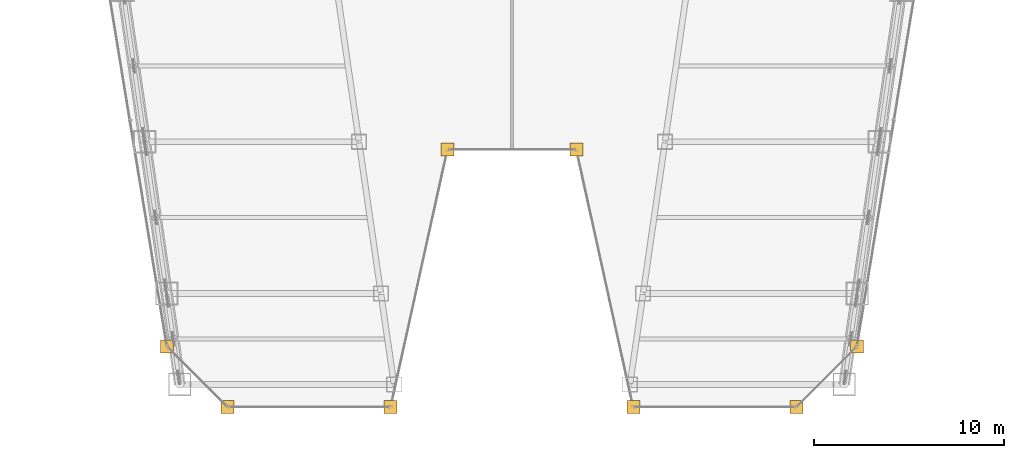
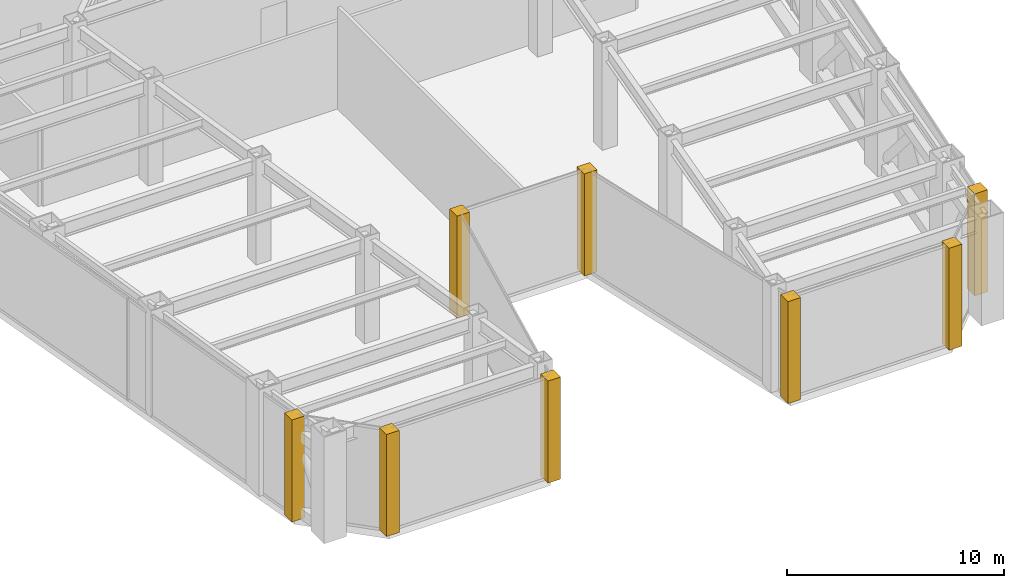
# One storey, part 33 of 35: 8 coverings.
"""IFC4 building model written with IfcOpenShell, lengths in metres."""

from ifc_helpers import new_model, si_unit, direction, frame, origin, place, context, subcontext, project, spatial, polyline, outline, extrude, material, layer, layer_set, type_object, element, save


model = new_model("IFC4")

# Units and contexts
model_context = context("Model", 3, precision=1e-05, world=origin(), true_north=direction((0.0, 1.0)))
body_context = subcontext(model_context, "Body", "Model", "MODEL_VIEW")
ifc_project = project(units=[si_unit("LENGTHUNIT", "METRE"), si_unit("AREAUNIT", "SQUARE_METRE"), si_unit("VOLUMEUNIT", "CUBIC_METRE"), si_unit("PLANEANGLEUNIT", "RADIAN"), si_unit("MASSUNIT", "GRAM", prefix="KILO")], contexts=[model_context])

# Site, building, storey
site_placement = place(None, origin())
site = spatial("IfcSite", under=ifc_project, at=site_placement, CompositionType="ELEMENT")
building_placement = place(site_placement, origin())
building = spatial("IfcBuilding", under=site, at=building_placement, Name="Saevonmaru Cultural Tower", CompositionType="ELEMENT")
storey_placement = place(building_placement, frame((0.0, 0.0, 86.800048828125)))
storey = spatial("IfcBuildingStorey", under=building, at=storey_placement, Name="L18", CompositionType="ELEMENT", Elevation=86.800048828125)

# Coverings
ifc_material = material(Name="Satin Bronze Anodised Aluminium", Category="aluminium")
ifc_layer = layer(ifc_material, 0.679931640625, Name="Satin Bronze Anodised Aluminium")
ifc_layer_set = layer_set([ifc_layer], Name="Satin Bronze Anodised Aluminium")
covering_type = type_object("IfcCoveringType", Name="CV-CORNER-CLAD", PredefinedType="CLADDING", material=ifc_layer_set)
covering_1_placement = place(storey_placement, origin())
element("IfcCovering", 1, at=covering_1_placement, inside=storey, type_object=covering_type, Name="L18 Tower Bronze Corner Cladding Pier 1", PredefinedType="CLADDING", context=body_context, shape_type="SweptSolid", body=[
    extrude(outline(polyline([(11.4599609375, 4.860107421875), (12.139892578125, 4.860107421875), (12.139892578125, 5.5400390625), (11.4599609375, 5.5400390625), (11.4599609375, 4.860107421875)])), origin(), (0.0, 0.0, 1.0), 5.75),
])
covering_2_placement = place(storey_placement, origin())
element("IfcCovering", 2, at=covering_2_placement, inside=storey, type_object=covering_type, Name="L18 Tower Bronze Corner Cladding Pier 2", PredefinedType="CLADDING", context=body_context, shape_type="SweptSolid", body=[
    extrude(outline(polyline([(14.659912109375, 1.659912109375), (15.340087890625, 1.659912109375), (15.340087890625, 2.340087890625), (14.659912109375, 2.340087890625), (14.659912109375, 1.659912109375)])), origin(), (0.0, 0.0, 1.0), 5.75),
])
covering_3_placement = place(storey_placement, origin())
element("IfcCovering", 3, at=covering_3_placement, inside=storey, type_object=covering_type, Name="L18 Tower Bronze Corner Cladding Pier 3", PredefinedType="CLADDING", context=body_context, shape_type="SweptSolid", body=[
    extrude(outline(polyline([(23.260009765625, 1.659912109375), (23.93994140625, 1.659912109375), (23.93994140625, 2.340087890625), (23.260009765625, 2.340087890625), (23.260009765625, 1.659912109375)])), origin(), (0.0, 0.0, 1.0), 5.75),
])
covering_4_placement = place(storey_placement, origin())
element("IfcCovering", 4, at=covering_4_placement, inside=storey, type_object=covering_type, Name="L18 Tower Bronze Corner Cladding Pier 4", PredefinedType="CLADDING", context=body_context, shape_type="SweptSolid", body=[
    extrude(outline(polyline([(26.260009765625, 15.260009765625), (26.93994140625, 15.260009765625), (26.93994140625, 15.93994140625), (26.260009765625, 15.93994140625), (26.260009765625, 15.260009765625)])), origin(), (0.0, 0.0, 1.0), 5.75),
])
covering_5_placement = place(storey_placement, origin())
element("IfcCovering", 5, at=covering_5_placement, inside=storey, type_object=covering_type, Name="L18 Tower Bronze Corner Cladding Pier 5", PredefinedType="CLADDING", context=body_context, shape_type="SweptSolid", body=[
    extrude(outline(polyline([(33.06005859375, 15.260009765625), (33.739990234375, 15.260009765625), (33.739990234375, 15.93994140625), (33.06005859375, 15.93994140625), (33.06005859375, 15.260009765625)])), origin(), (0.0, 0.0, 1.0), 5.75),
])
covering_6_placement = place(storey_placement, origin())
element("IfcCovering", 6, at=covering_6_placement, inside=storey, type_object=covering_type, Name="L18 Tower Bronze Corner Cladding Pier 6", PredefinedType="CLADDING", context=body_context, shape_type="SweptSolid", body=[
    extrude(outline(polyline([(36.06005859375, 1.659912109375), (36.739990234375, 1.659912109375), (36.739990234375, 2.340087890625), (36.06005859375, 2.340087890625), (36.06005859375, 1.659912109375)])), origin(), (0.0, 0.0, 1.0), 5.75),
])
covering_7_placement = place(storey_placement, origin())
element("IfcCovering", 7, at=covering_7_placement, inside=storey, type_object=covering_type, Name="L18 Tower Bronze Corner Cladding Pier 7", PredefinedType="CLADDING", context=body_context, shape_type="SweptSolid", body=[
    extrude(outline(polyline([(44.659912109375, 1.659912109375), (45.340087890625, 1.659912109375), (45.340087890625, 2.340087890625), (44.659912109375, 2.340087890625), (44.659912109375, 1.659912109375)])), origin(), (0.0, 0.0, 1.0), 5.75),
])
covering_8_placement = place(storey_placement, origin())
element("IfcCovering", 8, at=covering_8_placement, inside=storey, type_object=covering_type, Name="L18 Tower Bronze Corner Cladding Pier 8", PredefinedType="CLADDING", context=body_context, shape_type="SweptSolid", body=[
    extrude(outline(polyline([(47.860107421875, 4.860107421875), (48.5400390625, 4.860107421875), (48.5400390625, 5.5400390625), (47.860107421875, 5.5400390625), (47.860107421875, 4.860107421875)])), origin(), (0.0, 0.0, 1.0), 5.75),
])

save(model, "model.ifc")
